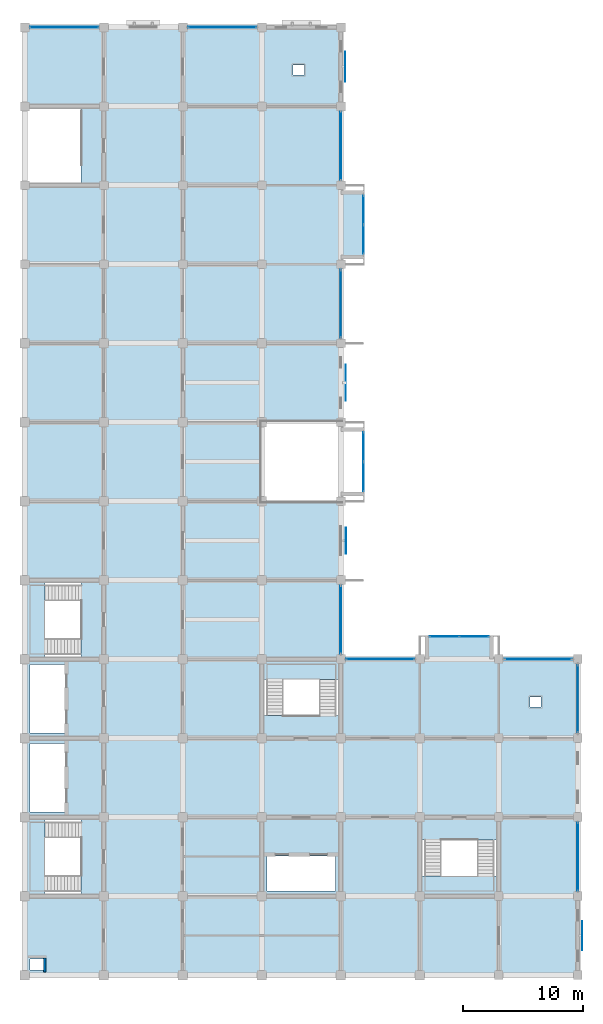
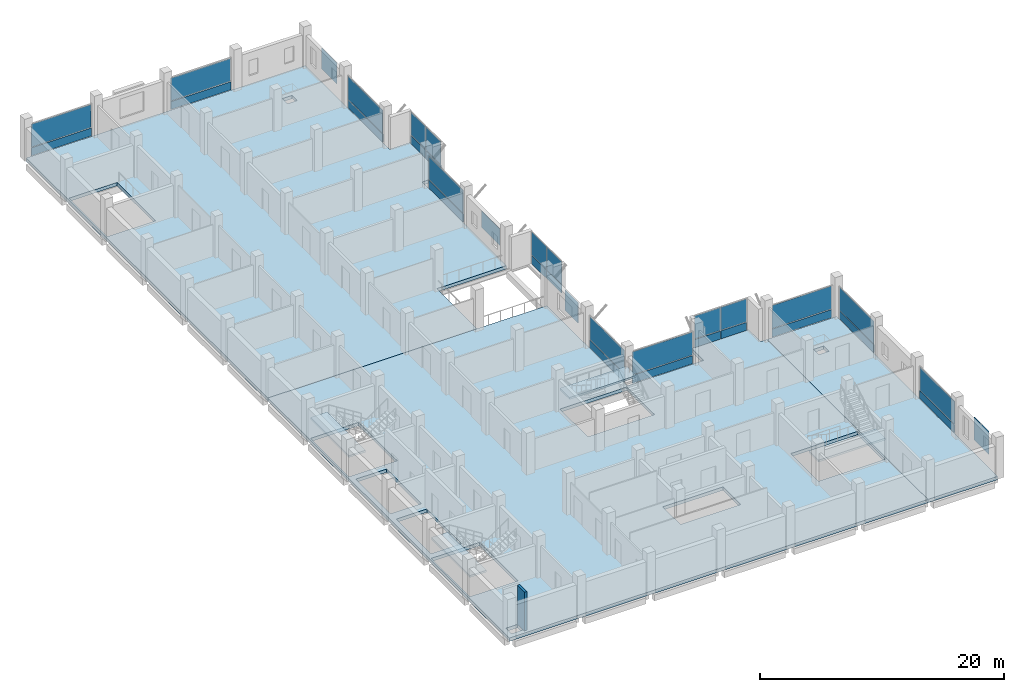
# One storey, part 6 of 14: 34 plates, 7 slabs, 1 wall, 16 elements without a shape of their own.
"""IFC4 building model written with IfcOpenShell, lengths in metres."""

import ifcopenshell
import ifcopenshell.guid

model = None  # the IFC model being written
_history = None  # IfcOwnerHistory: only IFC2X3 demands one
_inside = {}  # id of a spatial element -> (the spatial element, [elements in it])
_under = {}  # id of a project, library or spatial element -> (it, [spatial elements below it])
_declared = {}  # id of a project -> (the project, [libraries it declares])
_typed = {}  # id of a type object -> (the type object, [elements of that type])
_made_of = {}  # id of a material, layer set ... -> (it, [elements and type objects made of it])


def new_model(schema):
    """Start an empty IFC model of exactly this schema.

    Asked for "IFC4X3", IfcOpenShell would pick the latest addendum, in which some entities
    have other attributes; the version numbers below select the first issue.
    IFC2X3 requires an IfcOwnerHistory on every rooted entity: one is made here for all.
    """
    global model, _history
    if schema == "IFC4X3":
        model = ifcopenshell.file(schema_version=(4, 3, 0, 0))
    else:
        model = ifcopenshell.file(schema=schema)
    _inside.clear()
    _under.clear()
    _declared.clear()
    _typed.clear()
    _made_of.clear()
    _history = None
    if model.schema == "IFC2X3":
        org = make("IfcOrganization", Name="unknown")
        user = make(
            "IfcPersonAndOrganization",
            ThePerson=make("IfcPerson", FamilyName="unknown"),
            TheOrganization=org,
        )
        app = make(
            "IfcApplication",
            ApplicationDeveloper=org,
            Version="unknown",
            ApplicationFullName="unknown",
            ApplicationIdentifier="unknown",
        )
        _history = make(
            "IfcOwnerHistory",
            OwningUser=user,
            OwningApplication=app,
            ChangeAction="ADDED",
            CreationDate=0,
        )
    return model


def make(cls, **values):
    """One entity of the class cls with the attributes given. An attribute that is None is left unset."""
    return model.create_entity(
        cls, **{name: value for name, value in values.items() if value is not None}
    )


def rooted(cls, **values):
    """An entity with a GlobalId (a new one), such as an element, a storey or a relation."""
    return make(cls, GlobalId=ifcopenshell.guid.new(), OwnerHistory=_history, **values)


def si_unit(unit_type, name, prefix=None):
    """IfcSIUnit, for example si_unit("LENGTHUNIT", "METRE", prefix="MILLI")."""
    return make("IfcSIUnit", UnitType=unit_type, Prefix=prefix, Name=name)


def assignment(units):
    """IfcUnitAssignment: the units of a project."""
    return None if units is None else make("IfcUnitAssignment", Units=units)


def point(xyz):
    """IfcCartesianPoint."""
    return None if xyz is None else make("IfcCartesianPoint", Coordinates=xyz)


def direction(xyz):
    """IfcDirection."""
    return None if xyz is None else make("IfcDirection", DirectionRatios=xyz)


def frame(location, z_axis=None, x_axis=None):
    """IfcAxis2Placement3D, a coordinate frame: its origin and axes. An axis left out is left unset."""
    return make(
        "IfcAxis2Placement3D",
        Location=point(location),
        Axis=direction(z_axis),
        RefDirection=direction(x_axis),
    )


def frame_2d(location, x_axis=None):
    """IfcAxis2Placement2D, a coordinate frame in the plane: its origin and x axis."""
    return make(
        "IfcAxis2Placement2D", Location=point(location), RefDirection=direction(x_axis)
    )


def origin():
    """The frame at (0, 0, 0) with its axes left unset."""
    return frame((0.0, 0.0, 0.0))


def origin_2d():
    """The frame at (0, 0) in the plane with its x axis left unset."""
    return frame_2d((0.0, 0.0))


def place(relative_to, where):
    """IfcLocalPlacement: puts the frame where relative to a parent placement (None: the world)."""
    return make(
        "IfcLocalPlacement", PlacementRelTo=relative_to, RelativePlacement=where
    )


def context(
    kind, dimensions, precision=None, world=None, true_north=None, identifier=None
):
    """IfcGeometricRepresentationContext, for example the 3D "Model" context."""
    return make(
        "IfcGeometricRepresentationContext",
        ContextIdentifier=identifier,
        ContextType=kind,
        CoordinateSpaceDimension=dimensions,
        Precision=precision,
        WorldCoordinateSystem=world,
        TrueNorth=true_north,
    )


def subcontext(parent, identifier, kind, view, scale=None):
    """IfcGeometricRepresentationSubContext, for example "Body" below "Model"."""
    return make(
        "IfcGeometricRepresentationSubContext",
        ContextIdentifier=identifier,
        ContextType=kind,
        ParentContext=parent,
        TargetScale=scale,
        TargetView=view,
    )


def project(units=None, contexts=None):
    """IfcProject with its units and contexts."""
    return rooted(
        "IfcProject",
        Name="project",
        RepresentationContexts=contexts,
        UnitsInContext=assignment(units),
    )


def spatial(cls, under=None, at=None, **own):
    """A site, building, storey or space (cls), placed at a placement, below another one or the project."""
    s = rooted(cls, ObjectPlacement=at, **own)
    if under is not None:
        _under.setdefault(under.id(), (under, []))[1].append(s)
    return s


def polyline(points):
    """IfcPolyline through the points."""
    return make("IfcPolyline", Points=[point(p) for p in points])


def profile(cls, at=None, kind="AREA", **sizes):
    """A parametric profile (cls). Its sizes go by their IFC names, for example OverallWidth=200.0."""
    return make(cls, ProfileType=kind, Position=at, **sizes)


def rectangle(**sizes):
    """IfcRectangleProfileDef."""
    return profile("IfcRectangleProfileDef", **sizes)


def outline(outer, holes=None, kind="AREA"):
    """IfcArbitraryClosedProfileDef: a profile drawn as a closed curve; with holes, ...WithVoids."""
    if holes is None:
        return make("IfcArbitraryClosedProfileDef", ProfileType=kind, OuterCurve=outer)
    return make(
        "IfcArbitraryProfileDefWithVoids",
        ProfileType=kind,
        OuterCurve=outer,
        InnerCurves=holes,
    )


def extrude(swept, where, along, depth):
    """IfcExtrudedAreaSolid: the profile swept, set in the frame where, extruded along a direction by depth."""
    return make(
        "IfcExtrudedAreaSolid",
        SweptArea=swept,
        Position=where,
        ExtrudedDirection=direction(along),
        Depth=depth,
    )


def shape(context_of_items, identifier, shape_type, items):
    """IfcShapeRepresentation: the items that make up one representation, for example the "Body"."""
    return make(
        "IfcShapeRepresentation",
        ContextOfItems=context_of_items,
        RepresentationIdentifier=identifier,
        RepresentationType=shape_type,
        Items=items,
    )


def material(Name=None, Category=None):
    """IfcMaterial."""
    return make("IfcMaterial", Name=Name, Category=Category)


def layer(
    of_material, thickness, ventilated=None, Name=None, Category=None, Priority=None
):
    """IfcMaterialLayer: one layer of a wall or slab, of a material (None: an air gap)."""
    return make(
        "IfcMaterialLayer",
        Material=of_material,
        LayerThickness=thickness,
        IsVentilated=ventilated,
        Name=Name,
        Category=Category,
        Priority=Priority,
    )


def layer_set(layers, Name=None):
    """IfcMaterialLayerSet."""
    return make("IfcMaterialLayerSet", MaterialLayers=layers, LayerSetName=Name)


def made_of(thing, what):
    """Note that an element or type object is made of a material, layer set ...; save() writes the relation."""
    if what is not None:
        _made_of.setdefault(what.id(), (what, []))[1].append(thing)
    return thing


def type_object(cls, material=None, **own):
    """A type object (cls), such as IfcWallType, which elements share."""
    return made_of(rooted(cls, **own), material)


def element(
    cls,
    number,
    at=None,
    inside=None,
    cuts=None,
    type_object=None,
    material=None,
    context=None,
    identifier="Body",
    shape_type=None,
    held_by="IfcProductDefinitionShape",
    body=None,
    shapes=None,
    **own,
):
    """One element of the class cls, such as IfcWall. Its Tag is "e" and its number.

    at: its placement. inside: the storey or other place that contains it. cuts: it is an
    opening in that element (IfcRelVoidsElement). A single representation is given by context,
    identifier, shape_type and body (its items); several are given by shapes. held_by: the class
    of the entity that holds the representations. save() writes the other relations.
    """
    e = rooted(cls, Tag="e%d" % number, ObjectPlacement=at, **own)
    if body is not None:
        shapes = [shape(context, identifier, shape_type, body)]
    if shapes is not None:
        e.Representation = make(held_by, Representations=shapes)
    if inside is not None:
        _inside.setdefault(inside.id(), (inside, []))[1].append(e)
    if cuts is not None:
        rooted(
            "IfcRelVoidsElement", RelatingBuildingElement=cuts, RelatedOpeningElement=e
        )
    if type_object is not None:
        _typed.setdefault(type_object.id(), (type_object, []))[1].append(e)
    return made_of(e, material)


def aggregate(whole, parts):
    """IfcRelAggregates: a whole, such as a stair, and the parts it consists of."""
    return rooted("IfcRelAggregates", RelatingObject=whole, RelatedObjects=parts)


def save(model, path):
    """Write the relations noted so far, then the file.

    IfcRelAggregates (storeys below a building ...), IfcRelContainedInSpatialStructure (elements
    in a storey), IfcRelDefinesByType, IfcRelAssociatesMaterial and IfcRelDeclares: one each for
    every whole, place, type object, material and project.
    """
    for whole, parts in _under.values():
        aggregate(whole, parts)
    for where, things in _inside.values():
        rooted(
            "IfcRelContainedInSpatialStructure",
            RelatedElements=things,
            RelatingStructure=where,
        )
    for kind, things in _typed.values():
        rooted("IfcRelDefinesByType", RelatedObjects=things, RelatingType=kind)
    for what, things in _made_of.values():
        rooted("IfcRelAssociatesMaterial", RelatedObjects=things, RelatingMaterial=what)
    for by, libraries in _declared.values():
        rooted("IfcRelDeclares", RelatingContext=by, RelatedDefinitions=libraries)
    model.write(path)


model = new_model("IFC4")

# Units and contexts
model_context = context("Model", 3, precision=1e-05, world=origin(), true_north=direction((0.0, 1.0)))
body_context = subcontext(model_context, "Body", "Model", "MODEL_VIEW")
ifc_project = project(units=[si_unit("LENGTHUNIT", "METRE"), si_unit("AREAUNIT", "SQUARE_METRE"), si_unit("VOLUMEUNIT", "CUBIC_METRE"), si_unit("PLANEANGLEUNIT", "RADIAN"), si_unit("MASSUNIT", "GRAM", prefix="KILO")], contexts=[model_context])

# Site, building, storey
site_placement = place(None, origin())
site = spatial("IfcSite", under=ifc_project, at=site_placement, CompositionType="ELEMENT")
building_placement = place(site_placement, origin())
building = spatial("IfcBuilding", under=site, at=building_placement, Name="Rusizi Kubbe Research Institute", CompositionType="ELEMENT")
storey_placement = place(building_placement, frame((0.0, 0.0, 31.199951171875)))
storey = spatial("IfcBuildingStorey", under=building, at=storey_placement, Name="L07", CompositionType="ELEMENT", Elevation=31.199951171875)

# Curtain wall, plate
ifc_material_1 = material(Name="Thermally Broken Aluminium and Low-E Glazing", Category="aluminium")
curtain_wall_type_1 = type_object("IfcCurtainWallType", Name="CW-10", PredefinedType="NOTDEFINED", material=ifc_material_1)
curtain_wall_1_placement = place(storey_placement, origin())
curtain_wall_1 = element("IfcCurtainWall", 1, at=curtain_wall_1_placement, inside=storey, type_object=curtain_wall_type_1, Name="Unitised Facade Curtain Wall CW-L07-V-04-04", PredefinedType="NOTDEFINED")
ifc_material_2 = material(Name="Double Low-E Solar Control Insulated Glass", Category="glass")
ifc_layer_1 = layer(ifc_material_2, 0.02392578125)
ifc_layer_set_1 = layer_set([ifc_layer_1], Name="Double Low-E Solar Control Insulated Glass")
plate_type_1 = type_object("IfcPlateType", Name="GL-01", PredefinedType="CURTAIN_PANEL", material=ifc_layer_set_1)
plate_1_placement = place(storey_placement, frame((26.39990234375, 29.699951171875, 0.929931640625), z_axis=(0.0, 0.0, 1.0), x_axis=(0.0, 1.0, 0.0)))
plate_1 = element("IfcPlate", 2, at=plate_1_placement, type_object=plate_type_1, Name="CW-10 panel 1.2", PredefinedType="CURTAIN_PANEL", context=body_context, shape_type="SweptSolid", body=[
    extrude(rectangle(XDim=5.659912109375, YDim=0.02392578125, at=origin_2d()), origin(), (0.0, 0.0, 1.0), 2.2900390625),
])

curtain_wall_2_placement = place(storey_placement, origin())
curtain_wall_2 = element("IfcCurtainWall", 3, at=curtain_wall_2_placement, inside=storey, type_object=curtain_wall_type_1, Name="Unitised Facade Curtain Wall CW-L07-H-06-04", PredefinedType="NOTDEFINED")
plate_2_placement = place(storey_placement, frame((42.89990234375, 26.39990234375, 0.929931640625), z_axis=(0.0, 0.0, 1.0), x_axis=(1.0, 0.0, 0.0)))
plate_2 = element("IfcPlate", 4, at=plate_2_placement, type_object=plate_type_1, Name="CW-10 panel 1.2", PredefinedType="CURTAIN_PANEL", context=body_context, shape_type="SweptSolid", body=[
    extrude(rectangle(XDim=5.639892578125, YDim=0.02392578125, at=origin_2d()), origin(), (0.0, 0.0, 1.0), 2.2900390625),
])

# Curtain wall, plates
ifc_material_3 = material(Name="Thermally Broken Aluminium and Low-E Glazing", Category="aluminium")
curtain_wall_type_2 = type_object("IfcCurtainWallType", Name="CW-03", PredefinedType="NOTDEFINED", material=ifc_material_3)
curtain_wall_3_placement = place(storey_placement, origin())
curtain_wall_3 = element("IfcCurtainWall", 5, at=curtain_wall_3_placement, inside=storey, type_object=curtain_wall_type_2, Name="Cumba Glazed Curtain Wall CW-CUMBA-L07-081", PredefinedType="NOTDEFINED")
ifc_material_4 = material(Name="Double Low-E Solar Control Insulated Glass", Category="glass")
ifc_layer_2 = layer(ifc_material_4, 0.028076171875)
ifc_layer_set_2 = layer_set([ifc_layer_2], Name="Double Low-E Solar Control Insulated Glass")
plate_type_2 = type_object("IfcPlateType", Name="GL-02", PredefinedType="CURTAIN_PANEL", material=ifc_layer_set_2)
plate_3_placement = place(storey_placement, frame((28.300048828125, 41.65869140625, 0.929931640625), z_axis=(0.0, 0.0, 1.0), x_axis=(0.0, 1.0, 0.0)))
plate_3 = element("IfcPlate", 6, at=plate_3_placement, type_object=plate_type_2, Name="CW-03 panel 1.2", PredefinedType="CURTAIN_PANEL", context=body_context, shape_type="SweptSolid", body=[
    extrude(rectangle(XDim=2.41259765625, YDim=0.028076171875, at=origin_2d()), origin(), (0.0, 0.0, 1.0), 2.2900390625),
])
plate_4_placement = place(storey_placement, frame((28.300048828125, 44.141357421875, 0.929931640625), z_axis=(0.0, 0.0, 1.0), x_axis=(0.0, 1.0, 0.0)))
plate_4 = element("IfcPlate", 7, at=plate_4_placement, type_object=plate_type_2, Name="CW-03 panel 2.2", PredefinedType="CURTAIN_PANEL", context=body_context, shape_type="SweptSolid", body=[
    extrude(rectangle(XDim=2.41259765625, YDim=0.028076171875, at=origin_2d()), origin(), (0.0, 0.0, 1.0), 2.2900390625),
])

# Curtain wall, plate
curtain_wall_4_placement = place(storey_placement, origin())
curtain_wall_4 = element("IfcCurtainWall", 8, at=curtain_wall_4_placement, inside=storey, type_object=curtain_wall_type_1, Name="Unitised Facade Curtain Wall CW-L07-V-07-03", PredefinedType="NOTDEFINED")
plate_5_placement = place(storey_placement, frame((46.199951171875, 23.10009765625, 0.929931640625), z_axis=(0.0, 0.0, 1.0), x_axis=(0.0, 1.0, 0.0)))
plate_5 = element("IfcPlate", 9, at=plate_5_placement, type_object=plate_type_2, Name="CW-10 panel 1.2", PredefinedType="CURTAIN_PANEL", context=body_context, shape_type="SweptSolid", body=[
    extrude(rectangle(XDim=5.6298828125, YDim=0.028076171875, at=origin_2d()), origin(), (0.0, 0.0, 1.0), 2.2900390625),
])

curtain_wall_5_placement = place(storey_placement, origin())
curtain_wall_5 = element("IfcCurtainWall", 10, at=curtain_wall_5_placement, inside=storey, type_object=curtain_wall_type_1, Name="Unitised Facade Curtain Wall CW-L07-V-04-08", PredefinedType="NOTDEFINED")
ifc_material_5 = material(Name="Double Low-E Solar Control Insulated Glass", Category="glass")
ifc_layer_3 = layer(ifc_material_5, 0.031982421875)
ifc_layer_set_3 = layer_set([ifc_layer_3], Name="Double Low-E Solar Control Insulated Glass")
plate_type_3 = type_object("IfcPlateType", Name="GL-03", PredefinedType="CURTAIN_PANEL", material=ifc_layer_set_3)
plate_6_placement = place(storey_placement, frame((26.39990234375, 56.10009765625, 0.9326171875), z_axis=(0.0, 0.0, 1.0), x_axis=(0.0, 1.0, 0.0)))
plate_6 = element("IfcPlate", 11, at=plate_6_placement, type_object=plate_type_3, Name="CW-10 panel 1.2", PredefinedType="CURTAIN_PANEL", context=body_context, shape_type="SweptSolid", body=[
    extrude(rectangle(XDim=5.639892578125, YDim=0.031982421875, at=origin_2d()), origin(), (0.0, 0.0, 1.0), 2.282470703125),
])

# Curtain wall, plates
curtain_wall_6_placement = place(storey_placement, origin())
curtain_wall_6 = element("IfcCurtainWall", 12, at=curtain_wall_6_placement, inside=storey, type_object=curtain_wall_type_2, Name="Cumba Glazed Curtain Wall CW-CUMBA-L07-083", PredefinedType="NOTDEFINED")
ifc_material_6 = material(Name="Double Low-E Solar Control Insulated Glass", Category="glass")
ifc_layer_4 = layer(ifc_material_6, 0.035888671875)
ifc_layer_set_4 = layer_set([ifc_layer_4], Name="Double Low-E Solar Control Insulated Glass")
plate_type_4 = type_object("IfcPlateType", Name="GL-04", PredefinedType="CURTAIN_PANEL", material=ifc_layer_set_4)
plate_7_placement = place(storey_placement, frame((28.300048828125, 61.461181640625, 0.93505859375), z_axis=(0.0, 0.0, 1.0), x_axis=(0.0, 1.0, 0.0)))
plate_7 = element("IfcPlate", 13, at=plate_7_placement, type_object=plate_type_4, Name="CW-03 panel 1.2", PredefinedType="CURTAIN_PANEL", context=body_context, shape_type="SweptSolid", body=[
    extrude(rectangle(XDim=2.3974609375, YDim=0.035888671875, at=origin_2d()), origin(), (0.0, 0.0, 1.0), 2.27490234375),
])
plate_8_placement = place(storey_placement, frame((28.300048828125, 63.938720703125, 0.93505859375), z_axis=(0.0, 0.0, 1.0), x_axis=(0.0, 1.0, 0.0)))
plate_8 = element("IfcPlate", 14, at=plate_8_placement, type_object=plate_type_4, Name="CW-03 panel 2.2", PredefinedType="CURTAIN_PANEL", context=body_context, shape_type="SweptSolid", body=[
    extrude(rectangle(XDim=2.3974609375, YDim=0.035888671875, at=origin_2d()), origin(), (0.0, 0.0, 1.0), 2.27490234375),
])

# Curtain wall, plate
curtain_wall_7_placement = place(storey_placement, origin())
curtain_wall_7 = element("IfcCurtainWall", 15, at=curtain_wall_7_placement, inside=storey, type_object=curtain_wall_type_1, Name="Unitised Facade Curtain Wall CW-L07-V-04-10", PredefinedType="NOTDEFINED")
ifc_material_7 = material(Name="Double Low-E Solar Control Insulated Glass", Category="glass")
ifc_layer_5 = layer(ifc_material_7, 0.0400390625)
ifc_layer_set_5 = layer_set([ifc_layer_5], Name="Double Low-E Solar Control Insulated Glass")
plate_type_5 = type_object("IfcPlateType", Name="GL-05", PredefinedType="CURTAIN_PANEL", material=ifc_layer_set_5)
plate_9_placement = place(storey_placement, frame((26.39990234375, 69.300048828125, 0.929931640625), z_axis=(0.0, 0.0, 1.0), x_axis=(0.0, 1.0, 0.0)))
plate_9 = element("IfcPlate", 16, at=plate_9_placement, type_object=plate_type_5, Name="CW-10 panel 1.2", PredefinedType="CURTAIN_PANEL", context=body_context, shape_type="SweptSolid", body=[
    extrude(rectangle(XDim=5.669921875, YDim=0.0400390625, at=origin_2d()), origin(), (0.0, 0.0, 1.0), 2.2900390625),
])

curtain_wall_8_placement = place(storey_placement, origin())
curtain_wall_8 = element("IfcCurtainWall", 17, at=curtain_wall_8_placement, inside=storey, type_object=curtain_wall_type_1, Name="Unitised Facade Curtain Wall CW-L07-H-04-04", PredefinedType="NOTDEFINED")
ifc_material_8 = material(Name="Double Low-E Solar Control Insulated Glass", Category="glass")
ifc_layer_6 = layer(ifc_material_8, 0.0439453125)
ifc_layer_set_6 = layer_set([ifc_layer_6], Name="Double Low-E Solar Control Insulated Glass")
plate_type_6 = type_object("IfcPlateType", Name="GL-06", PredefinedType="CURTAIN_PANEL", material=ifc_layer_set_6)
plate_10_placement = place(storey_placement, frame((29.699951171875, 26.39990234375, 0.929931640625), z_axis=(0.0, 0.0, 1.0), x_axis=(1.0, 0.0, 0.0)))
plate_10 = element("IfcPlate", 18, at=plate_10_placement, type_object=plate_type_6, Name="CW-10 panel 1.2", PredefinedType="CURTAIN_PANEL", context=body_context, shape_type="SweptSolid", body=[
    extrude(rectangle(XDim=5.669921875, YDim=0.0439453125, at=origin_2d()), origin(), (0.0, 0.0, 1.0), 2.2900390625),
])

curtain_wall_9_placement = place(storey_placement, origin())
curtain_wall_9 = element("IfcCurtainWall", 19, at=curtain_wall_9_placement, inside=storey, type_object=curtain_wall_type_1, Name="Unitised Facade Curtain Wall CW-L07-H-00-12", PredefinedType="NOTDEFINED")
ifc_material_9 = material(Name="Double Low-E Solar Control Insulated Glass", Category="glass")
ifc_layer_7 = layer(ifc_material_9, 0.048095703125)
ifc_layer_set_7 = layer_set([ifc_layer_7], Name="Double Low-E Solar Control Insulated Glass")
plate_type_7 = type_object("IfcPlateType", Name="GL-07", PredefinedType="CURTAIN_PANEL", material=ifc_layer_set_7)
plate_11_placement = place(storey_placement, frame((3.300048828125, 79.199951171875, 0.9326171875), z_axis=(0.0, 0.0, 1.0), x_axis=(1.0, 0.0, 0.0)))
plate_11 = element("IfcPlate", 20, at=plate_11_placement, type_object=plate_type_7, Name="CW-10 panel 1.2", PredefinedType="CURTAIN_PANEL", context=body_context, shape_type="SweptSolid", body=[
    extrude(rectangle(XDim=5.669921875, YDim=0.048095703125, at=origin_2d()), origin(), (0.0, 0.0, 1.0), 2.282470703125),
])

# Curtain wall, plates
curtain_wall_10_placement = place(storey_placement, origin())
curtain_wall_10 = element("IfcCurtainWall", 21, at=curtain_wall_10_placement, inside=storey, type_object=curtain_wall_type_2, Name="Cumba Glazed Curtain Wall CW-CUMBA-L07-086", PredefinedType="NOTDEFINED")
plate_12_placement = place(storey_placement, frame((35.0576171875, 28.300048828125, 0.9326171875), z_axis=(0.0, 0.0, 1.0), x_axis=(1.0, 0.0, 0.0)))
plate_12 = element("IfcPlate", 22, at=plate_12_placement, type_object=plate_type_7, Name="CW-03 panel 1.2", PredefinedType="CURTAIN_PANEL", context=body_context, shape_type="SweptSolid", body=[
    extrude(rectangle(XDim=2.419921875, YDim=0.048095703125, at=origin_2d()), origin(), (0.0, 0.0, 1.0), 2.282470703125),
])
plate_13_placement = place(storey_placement, frame((37.54248046875, 28.300048828125, 0.9326171875), z_axis=(0.0, 0.0, 1.0), x_axis=(1.0, 0.0, 0.0)))
plate_13 = element("IfcPlate", 23, at=plate_13_placement, type_object=plate_type_7, Name="CW-03 panel 2.2", PredefinedType="CURTAIN_PANEL", context=body_context, shape_type="SweptSolid", body=[
    extrude(rectangle(XDim=2.419921875, YDim=0.048095703125, at=origin_2d()), origin(), (0.0, 0.0, 1.0), 2.282470703125),
])

# Curtain wall, plate
curtain_wall_11_placement = place(storey_placement, origin())
curtain_wall_11 = element("IfcCurtainWall", 24, at=curtain_wall_11_placement, inside=storey, type_object=curtain_wall_type_1, Name="Unitised Facade Curtain Wall CW-L07-H-02-12", PredefinedType="NOTDEFINED")
ifc_material_10 = material(Name="Double Low-E Solar Control Insulated Glass", Category="glass")
ifc_layer_8 = layer(ifc_material_10, 0.052001953125)
ifc_layer_set_8 = layer_set([ifc_layer_8], Name="Double Low-E Solar Control Insulated Glass")
plate_type_8 = type_object("IfcPlateType", Name="GL-08", PredefinedType="CURTAIN_PANEL", material=ifc_layer_set_8)
plate_14_placement = place(storey_placement, frame((16.5, 79.199951171875, 0.93505859375), z_axis=(0.0, 0.0, 1.0), x_axis=(1.0, 0.0, 0.0)))
plate_14 = element("IfcPlate", 25, at=plate_14_placement, type_object=plate_type_8, Name="CW-10 panel 1.2", PredefinedType="CURTAIN_PANEL", context=body_context, shape_type="SweptSolid", body=[
    extrude(rectangle(XDim=5.669921875, YDim=0.052001953125, at=origin_2d()), origin(), (0.0, 0.0, 1.0), 2.27490234375),
])

curtain_wall_12_placement = place(storey_placement, origin())
curtain_wall_12 = element("IfcCurtainWall", 26, at=curtain_wall_12_placement, inside=storey, type_object=curtain_wall_type_1, Name="Unitised Facade Curtain Wall CW-L07-V-07-01", PredefinedType="NOTDEFINED")
plate_15_placement = place(storey_placement, frame((46.199951171875, 9.89990234375, 0.93505859375), z_axis=(0.0, 0.0, 1.0), x_axis=(0.0, 1.0, 0.0)))
plate_15 = element("IfcPlate", 27, at=plate_15_placement, type_object=plate_type_8, Name="CW-10 panel 1.2", PredefinedType="CURTAIN_PANEL", context=body_context, shape_type="SweptSolid", body=[
    extrude(rectangle(XDim=5.64990234375, YDim=0.052001953125, at=origin_2d()), origin(), (0.0, 0.0, 1.0), 2.27490234375),
])

# Plates
ifc_material_11 = material(Name="Perforated Architectural Bronze Screen", Category="steel")
ifc_layer_9 = layer(ifc_material_11, 0.01806640625)
ifc_layer_set_9 = layer_set([ifc_layer_9], Name="Perforated Architectural Bronze Screen")
plate_type_9 = type_object("IfcPlateType", Name="MS-01", PredefinedType="SHEET", material=ifc_layer_set_9)
plate_16_placement = place(storey_placement, frame((46.58251953125, 3.300048828125, 0.759765625), z_axis=(0.0, 0.0, 1.0), x_axis=(0.0, 1.0, 0.0)))
element("IfcPlate", 28, at=plate_16_placement, inside=storey, type_object=plate_type_9, Name="Mashrabiya Perforated Screen MS-01-060", PredefinedType="SHEET", context=body_context, shape_type="SweptSolid", body=[
    extrude(rectangle(XDim=2.39990234375, YDim=0.01806640625, at=origin_2d()), origin(), (0.0, 0.0, 1.0), 2.340087890625),
])
ifc_material_12 = material(Name="Perforated Architectural Bronze Screen", Category="steel")
ifc_layer_10 = layer(ifc_material_12, 0.01611328125)
ifc_layer_set_10 = layer_set([ifc_layer_10], Name="Perforated Architectural Bronze Screen")
plate_type_10 = type_object("IfcPlateType", Name="MS-04", PredefinedType="SHEET", material=ifc_layer_set_10)
plate_17_placement = place(storey_placement, frame((26.830078125, 36.300048828125, 0.760009765625), z_axis=(0.0, 0.0, 1.0), x_axis=(0.0, 1.0, 0.0)))
element("IfcPlate", 29, at=plate_17_placement, inside=storey, type_object=plate_type_10, Name="Mashrabiya Perforated Screen MS-04-057", PredefinedType="SHEET", context=body_context, shape_type="SweptSolid", body=[
    extrude(rectangle(XDim=2.199951171875, YDim=0.01611328125, at=origin_2d()), origin(), (0.0, 0.0, 1.0), 2.06005859375),
])
ifc_material_13 = material(Name="Perforated Architectural Bronze Screen", Category="steel")
ifc_layer_11 = layer(ifc_material_13, 0.02392578125)
ifc_layer_set_11 = layer_set([ifc_layer_11], Name="Perforated Architectural Bronze Screen")
plate_type_11 = type_object("IfcPlateType", Name="MS-05", PredefinedType="SHEET", material=ifc_layer_set_11)
plate_18_placement = place(storey_placement, frame((26.8125, 49.5, 0.76025390625), z_axis=(0.0, 0.0, 1.0), x_axis=(0.0, 1.0, 0.0)))
element("IfcPlate", 30, at=plate_18_placement, inside=storey, type_object=plate_type_11, Name="Mashrabiya Perforated Screen MS-05-058", PredefinedType="SHEET", context=body_context, shape_type="SweptSolid", body=[
    extrude(rectangle(XDim=3.0, YDim=0.02392578125, at=origin_2d()), origin(), (0.0, 0.0, 1.0), 1.679931640625),
])
ifc_material_14 = material(Name="Perforated Architectural Bronze Screen", Category="steel")
ifc_layer_12 = layer(ifc_material_14, 0.01904296875)
ifc_layer_set_12 = layer_set([ifc_layer_12], Name="Perforated Architectural Bronze Screen")
plate_type_12 = type_object("IfcPlateType", Name="MS-06", PredefinedType="SHEET", material=ifc_layer_set_12)
plate_19_placement = place(storey_placement, frame((26.782470703125, 75.89990234375, 0.760009765625), z_axis=(0.0, 0.0, 1.0), x_axis=(0.0, 1.0, 0.0)))
element("IfcPlate", 31, at=plate_19_placement, inside=storey, type_object=plate_type_12, Name="Mashrabiya Perforated Screen MS-06-059", PredefinedType="SHEET", context=body_context, shape_type="SweptSolid", body=[
    extrude(rectangle(XDim=2.5, YDim=0.01904296875, at=origin_2d()), origin(), (0.0, 0.0, 1.0), 2.1201171875),
])

# Slabs
ifc_material_15 = material(Name="Concrete C40/50", Category="concrete")
ifc_layer_13 = layer(ifc_material_15, 0.330078125)
ifc_layer_set_13 = layer_set([ifc_layer_13], Name="Concrete C40/50")
slab_type_1 = type_object("IfcSlabType", Name="SL-F330", PredefinedType="FLOOR", material=ifc_layer_set_13)
slab_1_placement = place(storey_placement, frame((0.0, 0.0, -0.329833984375)))
element("IfcSlab", 32, at=slab_1_placement, inside=storey, type_object=slab_type_1, Name="Structural Slab L07 CORE", PredefinedType="FLOOR", context=body_context, shape_type="SweptSolid", body=[
    extrude(outline(polyline([(0.0, 39.60009765625), (6.60009765625, 39.60009765625), (13.199951171875, 39.60009765625), (19.800048828125, 39.60009765625), (26.39990234375, 39.60009765625), (26.39990234375, 33.0), (26.39990234375, 26.39990234375), (33.0, 26.39990234375), (33.60009765625, 26.39990234375), (33.60009765625, 28.39990234375), (39.0, 28.39990234375), (39.0, 26.39990234375), (39.60009765625, 26.39990234375), (39.60009765625, 19.800048828125), (39.60009765625, 13.199951171875), (39.60009765625, 6.60009765625), (39.60009765625, 0.0), (33.0, 0.0), (26.39990234375, 0.0), (19.800048828125, 0.0), (13.199951171875, 0.0), (6.60009765625, 0.0), (0.0, 0.0), (0.0, 6.60009765625), (0.0, 13.199951171875), (0.0, 19.800048828125), (0.0, 26.39990234375), (0.0, 33.0), (0.0, 39.60009765625)]), holes=[polyline([(0.449951171875, 1.35009765625), (0.449951171875, 0.449951171875), (1.550048828125, 0.449951171875), (1.550048828125, 1.35009765625), (0.449951171875, 1.35009765625)]), polyline([(20.25, 9.949951171875), (20.25, 7.050048828125), (25.949951171875, 7.050048828125), (25.949951171875, 9.949951171875), (20.25, 9.949951171875)]), polyline([(33.139892578125, 11.300048828125), (33.139892578125, 6.739990234375), (39.4599609375, 6.739990234375), (39.4599609375, 11.300048828125), (33.139892578125, 11.300048828125)]), polyline([(0.139892578125, 13.06005859375), (0.139892578125, 6.739990234375), (4.699951171875, 6.739990234375), (4.699951171875, 13.06005859375), (0.139892578125, 13.06005859375)]), polyline([(0.449951171875, 19.35009765625), (0.449951171875, 13.64990234375), (3.35009765625, 13.64990234375), (3.35009765625, 19.35009765625), (0.449951171875, 19.35009765625)]), polyline([(0.449951171875, 25.949951171875), (0.449951171875, 20.25), (3.35009765625, 20.25), (3.35009765625, 25.949951171875), (0.449951171875, 25.949951171875)]), polyline([(19.93994140625, 26.260009765625), (19.93994140625, 21.699951171875), (26.260009765625, 21.699951171875), (26.260009765625, 26.260009765625), (19.93994140625, 26.260009765625)]), polyline([(4.699951171875, 32.860107421875), (0.139892578125, 32.860107421875), (0.139892578125, 26.5400390625), (4.699951171875, 26.5400390625), (4.699951171875, 32.860107421875)])]), origin(), (0.0, 0.0, 1.0), 0.329833984375),
])
slab_2_placement = place(storey_placement, frame((0.0, 0.0, -0.329833984375)))
element("IfcSlab", 33, at=slab_2_placement, inside=storey, type_object=slab_type_1, Name="Structural Slab L07 NORTHA", PredefinedType="FLOOR", context=body_context, shape_type="SweptSolid", body=[
    extrude(outline(polyline([(0.0, 72.60009765625), (0.0, 79.199951171875), (6.60009765625, 79.199951171875), (13.199951171875, 79.199951171875), (19.800048828125, 79.199951171875), (26.39990234375, 79.199951171875), (26.39990234375, 72.60009765625), (26.39990234375, 66.0), (26.39990234375, 65.39990234375), (28.39990234375, 65.39990234375), (28.39990234375, 60.0), (26.39990234375, 60.0), (26.39990234375, 59.39990234375), (26.39990234375, 52.800048828125), (26.39990234375, 46.199951171875), (19.800048828125, 46.199951171875), (19.800048828125, 39.60009765625), (13.199951171875, 39.60009765625), (6.60009765625, 39.60009765625), (0.0, 39.60009765625), (0.0, 46.199951171875), (0.0, 52.800048828125), (0.0, 59.39990234375), (0.0, 66.0), (0.0, 72.60009765625)]), holes=[polyline([(4.699951171875, 72.4599609375), (0.139892578125, 72.4599609375), (0.139892578125, 66.139892578125), (4.699951171875, 66.139892578125), (4.699951171875, 72.4599609375)]), polyline([(23.35009765625, 76.050048828125), (22.39990234375, 76.050048828125), (22.39990234375, 75.199951171875), (23.35009765625, 75.199951171875), (23.35009765625, 76.050048828125)])]), origin(), (0.0, 0.0, 1.0), 0.329833984375),
])
slab_3_placement = place(storey_placement, frame((0.0, 0.0, -0.329833984375)))
element("IfcSlab", 34, at=slab_3_placement, inside=storey, type_object=slab_type_1, Name="Structural Slab L07 EAST", PredefinedType="FLOOR", context=body_context, shape_type="SweptSolid", body=[
    extrude(outline(polyline([(39.60009765625, 6.60009765625), (39.60009765625, 13.199951171875), (39.60009765625, 19.800048828125), (39.60009765625, 26.39990234375), (46.199951171875, 26.39990234375), (46.199951171875, 19.800048828125), (46.199951171875, 13.199951171875), (46.199951171875, 6.60009765625), (46.199951171875, 0.0), (39.60009765625, 0.0), (39.60009765625, 6.60009765625)]), holes=[polyline([(42.199951171875, 23.25), (42.199951171875, 22.39990234375), (43.14990234375, 22.39990234375), (43.14990234375, 23.25), (42.199951171875, 23.25)])]), origin(), (0.0, 0.0, 1.0), 0.329833984375),
])

# Stair, slab
ifc_material_16 = material(Name="Concrete C40/50", Category="concrete")
stair_type_1 = type_object("IfcStairType", Name="ST-H420A", PredefinedType="HALF_TURN_STAIR", material=ifc_material_16)
stair_1_placement = place(storey_placement, origin())
stair_1 = element("IfcStair", 35, at=stair_1_placement, inside=storey, type_object=stair_type_1, Name="Protected Exit Stair ST1 (L07)", PredefinedType="HALF_TURN_STAIR")
ifc_material_17 = material(Name="Concrete C40/50", Category="concrete")
ifc_layer_14 = layer(ifc_material_17, 0.195068359375)
ifc_layer_set_14 = layer_set([ifc_layer_14], Name="Concrete C40/50")
slab_type_2 = type_object("IfcSlabType", Name="SL-L195", PredefinedType="LANDING", material=ifc_layer_set_14)
slab_4_placement = place(storey_placement, frame((0.0, 0.0, 1.905029296875)))
slab_4 = element("IfcSlab", 36, at=slab_4_placement, type_object=slab_type_2, Name="ST1 landing 1", PredefinedType="LANDING", context=body_context, shape_type="SweptSolid", body=[
    extrude(outline(polyline([(1.7060546875, 13.06005859375), (0.139892578125, 13.06005859375), (0.139892578125, 6.739990234375), (1.7060546875, 6.739990234375), (1.7060546875, 13.06005859375)])), origin(), (0.0, 0.0, 1.0), 0.195068359375),
])
aggregate(stair_1, [slab_4])

stair_2_placement = place(storey_placement, origin())
stair_2 = element("IfcStair", 37, at=stair_2_placement, inside=storey, type_object=stair_type_1, Name="Protected Exit Stair ST2 (L07)", PredefinedType="HALF_TURN_STAIR")
slab_5_placement = place(storey_placement, frame((0.0, 0.0, 1.905029296875)))
slab_5 = element("IfcSlab", 38, at=slab_5_placement, type_object=slab_type_2, Name="ST2 landing 1", PredefinedType="LANDING", context=body_context, shape_type="SweptSolid", body=[
    extrude(outline(polyline([(1.7060546875, 32.860107421875), (0.139892578125, 32.860107421875), (0.139892578125, 26.5400390625), (1.7060546875, 26.5400390625), (1.7060546875, 32.860107421875)])), origin(), (0.0, 0.0, 1.0), 0.195068359375),
])
aggregate(stair_2, [slab_5])

ifc_material_18 = material(Name="Concrete C40/50", Category="concrete")
stair_type_2 = type_object("IfcStairType", Name="ST-H420B", PredefinedType="HALF_TURN_STAIR", material=ifc_material_18)
stair_3_placement = place(storey_placement, origin())
stair_3 = element("IfcStair", 39, at=stair_3_placement, inside=storey, type_object=stair_type_2, Name="Protected Exit Stair ST3 (L07)", PredefinedType="HALF_TURN_STAIR")
slab_6_placement = place(storey_placement, frame((0.0, 0.0, 1.905029296875)))
slab_6 = element("IfcSlab", 40, at=slab_6_placement, type_object=slab_type_2, Name="ST3 landing 1", PredefinedType="LANDING", context=body_context, shape_type="SweptSolid", body=[
    extrude(outline(polyline([(26.260009765625, 24.694091796875), (26.260009765625, 26.260009765625), (19.93994140625, 26.260009765625), (19.93994140625, 24.694091796875), (26.260009765625, 24.694091796875)])), origin(), (0.0, 0.0, 1.0), 0.195068359375),
])
aggregate(stair_3, [slab_6])

stair_4_placement = place(storey_placement, origin())
stair_4 = element("IfcStair", 41, at=stair_4_placement, inside=storey, type_object=stair_type_2, Name="Protected Exit Stair ST4 (L07)", PredefinedType="HALF_TURN_STAIR")
slab_7_placement = place(storey_placement, frame((0.0, 0.0, 1.905029296875)))
slab_7 = element("IfcSlab", 42, at=slab_7_placement, type_object=slab_type_2, Name="ST4 landing 1", PredefinedType="LANDING", context=body_context, shape_type="SweptSolid", body=[
    extrude(outline(polyline([(33.139892578125, 8.305908203125), (33.139892578125, 6.739990234375), (39.4599609375, 6.739990234375), (39.4599609375, 8.305908203125), (33.139892578125, 8.305908203125)])), origin(), (0.0, 0.0, 1.0), 0.195068359375),
])
aggregate(stair_4, [slab_7])

# Plate
ifc_material_19 = material(Name="Ceramic-Frit Insulated Spandrel Panel", Category="glass")
ifc_layer_15 = layer(ifc_material_19, 0.05810546875)
ifc_layer_set_15 = layer_set([ifc_layer_15], Name="Ceramic-Frit Insulated Spandrel Panel")
plate_type_13 = type_object("IfcPlateType", Name="SP-01", PredefinedType="CURTAIN_PANEL", material=ifc_layer_set_15)
plate_20_placement = place(storey_placement, frame((26.39990234375, 29.699951171875, 0.06005859375), z_axis=(0.0, 0.0, 1.0), x_axis=(0.0, 1.0, 0.0)))
plate_20 = element("IfcPlate", 43, at=plate_20_placement, type_object=plate_type_13, Name="CW-10 panel 1.1", PredefinedType="CURTAIN_PANEL", context=body_context, shape_type="SweptSolid", body=[
    extrude(rectangle(XDim=5.659912109375, YDim=0.05810546875, at=origin_2d()), origin(), (0.0, 0.0, 1.0), 0.81005859375),
])

aggregate(curtain_wall_1, [plate_20, plate_1])

plate_21_placement = place(storey_placement, frame((26.39990234375, 69.300048828125, 0.06005859375), z_axis=(0.0, 0.0, 1.0), x_axis=(0.0, 1.0, 0.0)))
plate_21 = element("IfcPlate", 44, at=plate_21_placement, type_object=plate_type_13, Name="CW-10 panel 1.1", PredefinedType="CURTAIN_PANEL", context=body_context, shape_type="SweptSolid", body=[
    extrude(rectangle(XDim=5.669921875, YDim=0.05810546875, at=origin_2d()), origin(), (0.0, 0.0, 1.0), 0.81005859375),
])

aggregate(curtain_wall_7, [plate_21, plate_9])

plate_22_placement = place(storey_placement, frame((42.89990234375, 26.39990234375, 0.06005859375), z_axis=(0.0, 0.0, 1.0), x_axis=(1.0, 0.0, 0.0)))
plate_22 = element("IfcPlate", 45, at=plate_22_placement, type_object=plate_type_13, Name="CW-10 panel 1.1", PredefinedType="CURTAIN_PANEL", context=body_context, shape_type="SweptSolid", body=[
    extrude(rectangle(XDim=5.639892578125, YDim=0.05810546875, at=origin_2d()), origin(), (0.0, 0.0, 1.0), 0.81005859375),
])

aggregate(curtain_wall_2, [plate_22, plate_2])

ifc_material_20 = material(Name="Ceramic-Frit Insulated Spandrel Panel", Category="glass")
ifc_layer_16 = layer(ifc_material_20, 0.06396484375)
ifc_layer_set_16 = layer_set([ifc_layer_16], Name="Ceramic-Frit Insulated Spandrel Panel")
plate_type_14 = type_object("IfcPlateType", Name="SP-02", PredefinedType="CURTAIN_PANEL", material=ifc_layer_set_16)
plate_23_placement = place(storey_placement, frame((28.300048828125, 41.65869140625, 0.06005859375), z_axis=(0.0, 0.0, 1.0), x_axis=(0.0, 1.0, 0.0)))
plate_23 = element("IfcPlate", 46, at=plate_23_placement, type_object=plate_type_14, Name="CW-03 panel 1.1", PredefinedType="CURTAIN_PANEL", context=body_context, shape_type="SweptSolid", body=[
    extrude(rectangle(XDim=2.41259765625, YDim=0.06396484375, at=origin_2d()), origin(), (0.0, 0.0, 1.0), 0.81005859375),
])

plate_24_placement = place(storey_placement, frame((28.300048828125, 44.141357421875, 0.06005859375), z_axis=(0.0, 0.0, 1.0), x_axis=(0.0, 1.0, 0.0)))
plate_24 = element("IfcPlate", 47, at=plate_24_placement, type_object=plate_type_14, Name="CW-03 panel 2.1", PredefinedType="CURTAIN_PANEL", context=body_context, shape_type="SweptSolid", body=[
    extrude(rectangle(XDim=2.41259765625, YDim=0.06396484375, at=origin_2d()), origin(), (0.0, 0.0, 1.0), 0.81005859375),
])

aggregate(curtain_wall_3, [plate_23, plate_3, plate_24, plate_4])

plate_25_placement = place(storey_placement, frame((29.699951171875, 26.39990234375, 0.06005859375), z_axis=(0.0, 0.0, 1.0), x_axis=(1.0, 0.0, 0.0)))
plate_25 = element("IfcPlate", 48, at=plate_25_placement, type_object=plate_type_14, Name="CW-10 panel 1.1", PredefinedType="CURTAIN_PANEL", context=body_context, shape_type="SweptSolid", body=[
    extrude(rectangle(XDim=5.669921875, YDim=0.06396484375, at=origin_2d()), origin(), (0.0, 0.0, 1.0), 0.81005859375),
])

aggregate(curtain_wall_8, [plate_25, plate_10])

plate_26_placement = place(storey_placement, frame((46.199951171875, 23.10009765625, 0.06005859375), z_axis=(0.0, 0.0, 1.0), x_axis=(0.0, 1.0, 0.0)))
plate_26 = element("IfcPlate", 49, at=plate_26_placement, type_object=plate_type_14, Name="CW-10 panel 1.1", PredefinedType="CURTAIN_PANEL", context=body_context, shape_type="SweptSolid", body=[
    extrude(rectangle(XDim=5.6298828125, YDim=0.06396484375, at=origin_2d()), origin(), (0.0, 0.0, 1.0), 0.81005859375),
])

aggregate(curtain_wall_4, [plate_26, plate_5])

ifc_material_21 = material(Name="Ceramic-Frit Insulated Spandrel Panel", Category="glass")
ifc_layer_17 = layer(ifc_material_21, 0.070068359375)
ifc_layer_set_17 = layer_set([ifc_layer_17], Name="Ceramic-Frit Insulated Spandrel Panel")
plate_type_15 = type_object("IfcPlateType", Name="SP-03", PredefinedType="CURTAIN_PANEL", material=ifc_layer_set_17)
plate_27_placement = place(storey_placement, frame((3.300048828125, 79.199951171875, 0.06494140625), z_axis=(0.0, 0.0, 1.0), x_axis=(1.0, 0.0, 0.0)))
plate_27 = element("IfcPlate", 50, at=plate_27_placement, type_object=plate_type_15, Name="CW-10 panel 1.1", PredefinedType="CURTAIN_PANEL", context=body_context, shape_type="SweptSolid", body=[
    extrude(rectangle(XDim=5.669921875, YDim=0.070068359375, at=origin_2d()), origin(), (0.0, 0.0, 1.0), 0.802490234375),
])

aggregate(curtain_wall_9, [plate_27, plate_11])

plate_28_placement = place(storey_placement, frame((26.39990234375, 56.10009765625, 0.06494140625), z_axis=(0.0, 0.0, 1.0), x_axis=(0.0, 1.0, 0.0)))
plate_28 = element("IfcPlate", 51, at=plate_28_placement, type_object=plate_type_15, Name="CW-10 panel 1.1", PredefinedType="CURTAIN_PANEL", context=body_context, shape_type="SweptSolid", body=[
    extrude(rectangle(XDim=5.639892578125, YDim=0.070068359375, at=origin_2d()), origin(), (0.0, 0.0, 1.0), 0.802490234375),
])

aggregate(curtain_wall_5, [plate_28, plate_6])

plate_29_placement = place(storey_placement, frame((35.0576171875, 28.300048828125, 0.06494140625), z_axis=(0.0, 0.0, 1.0), x_axis=(1.0, 0.0, 0.0)))
plate_29 = element("IfcPlate", 52, at=plate_29_placement, type_object=plate_type_15, Name="CW-03 panel 1.1", PredefinedType="CURTAIN_PANEL", context=body_context, shape_type="SweptSolid", body=[
    extrude(rectangle(XDim=2.419921875, YDim=0.070068359375, at=origin_2d()), origin(), (0.0, 0.0, 1.0), 0.802490234375),
])

plate_30_placement = place(storey_placement, frame((37.54248046875, 28.300048828125, 0.06494140625), z_axis=(0.0, 0.0, 1.0), x_axis=(1.0, 0.0, 0.0)))
plate_30 = element("IfcPlate", 53, at=plate_30_placement, type_object=plate_type_15, Name="CW-03 panel 2.1", PredefinedType="CURTAIN_PANEL", context=body_context, shape_type="SweptSolid", body=[
    extrude(rectangle(XDim=2.419921875, YDim=0.070068359375, at=origin_2d()), origin(), (0.0, 0.0, 1.0), 0.802490234375),
])

aggregate(curtain_wall_10, [plate_29, plate_12, plate_30, plate_13])

ifc_material_22 = material(Name="Ceramic-Frit Insulated Spandrel Panel", Category="glass")
ifc_layer_18 = layer(ifc_material_22, 0.075927734375)
ifc_layer_set_18 = layer_set([ifc_layer_18], Name="Ceramic-Frit Insulated Spandrel Panel")
plate_type_16 = type_object("IfcPlateType", Name="SP-04", PredefinedType="CURTAIN_PANEL", material=ifc_layer_set_18)
plate_31_placement = place(storey_placement, frame((16.5, 79.199951171875, 0.070068359375), z_axis=(0.0, 0.0, 1.0), x_axis=(1.0, 0.0, 0.0)))
plate_31 = element("IfcPlate", 54, at=plate_31_placement, type_object=plate_type_16, Name="CW-10 panel 1.1", PredefinedType="CURTAIN_PANEL", context=body_context, shape_type="SweptSolid", body=[
    extrude(rectangle(XDim=5.669921875, YDim=0.075927734375, at=origin_2d()), origin(), (0.0, 0.0, 1.0), 0.794921875),
])

aggregate(curtain_wall_11, [plate_31, plate_14])

plate_32_placement = place(storey_placement, frame((28.300048828125, 61.461181640625, 0.070068359375), z_axis=(0.0, 0.0, 1.0), x_axis=(0.0, 1.0, 0.0)))
plate_32 = element("IfcPlate", 55, at=plate_32_placement, type_object=plate_type_16, Name="CW-03 panel 1.1", PredefinedType="CURTAIN_PANEL", context=body_context, shape_type="SweptSolid", body=[
    extrude(rectangle(XDim=2.3974609375, YDim=0.075927734375, at=origin_2d()), origin(), (0.0, 0.0, 1.0), 0.794921875),
])

plate_33_placement = place(storey_placement, frame((28.300048828125, 63.938720703125, 0.070068359375), z_axis=(0.0, 0.0, 1.0), x_axis=(0.0, 1.0, 0.0)))
plate_33 = element("IfcPlate", 56, at=plate_33_placement, type_object=plate_type_16, Name="CW-03 panel 2.1", PredefinedType="CURTAIN_PANEL", context=body_context, shape_type="SweptSolid", body=[
    extrude(rectangle(XDim=2.3974609375, YDim=0.075927734375, at=origin_2d()), origin(), (0.0, 0.0, 1.0), 0.794921875),
])

aggregate(curtain_wall_6, [plate_32, plate_7, plate_33, plate_8])

plate_34_placement = place(storey_placement, frame((46.199951171875, 9.89990234375, 0.070068359375), z_axis=(0.0, 0.0, 1.0), x_axis=(0.0, 1.0, 0.0)))
plate_34 = element("IfcPlate", 57, at=plate_34_placement, type_object=plate_type_16, Name="CW-10 panel 1.1", PredefinedType="CURTAIN_PANEL", context=body_context, shape_type="SweptSolid", body=[
    extrude(rectangle(XDim=5.64990234375, YDim=0.075927734375, at=origin_2d()), origin(), (0.0, 0.0, 1.0), 0.794921875),
])

aggregate(curtain_wall_12, [plate_34, plate_15])

# Wall
ifc_material_23 = material(Name="Concrete Blockwork Fire Partition", Category="masonry")
ifc_layer_19 = layer(ifc_material_23, 0.22509765625)
ifc_layer_set_19 = layer_set([ifc_layer_19], Name="Concrete Blockwork Fire Partition")
wall_type = type_object("IfcWallType", Name="IW-01", PredefinedType="PARTITIONING", material=ifc_layer_set_19)
wall_placement = place(storey_placement, frame((1.679931640625, 0.260009765625, 0.0), z_axis=(0.0, 0.0, 1.0), x_axis=(0.0, 1.0, 0.0)))
element("IfcWall", 58, at=wall_placement, inside=storey, type_object=wall_type, Name="Riser Shaft Wall E L07", PredefinedType="PARTITIONING", context=body_context, shape_type="SweptSolid", body=[
    extrude(rectangle(XDim=1.169921875, YDim=0.22509765625, at=frame_2d((0.5849609375, 0.0))), origin(), (0.0, 0.0, 1.0), 3.880126953125),
])

save(model, "model.ifc")
